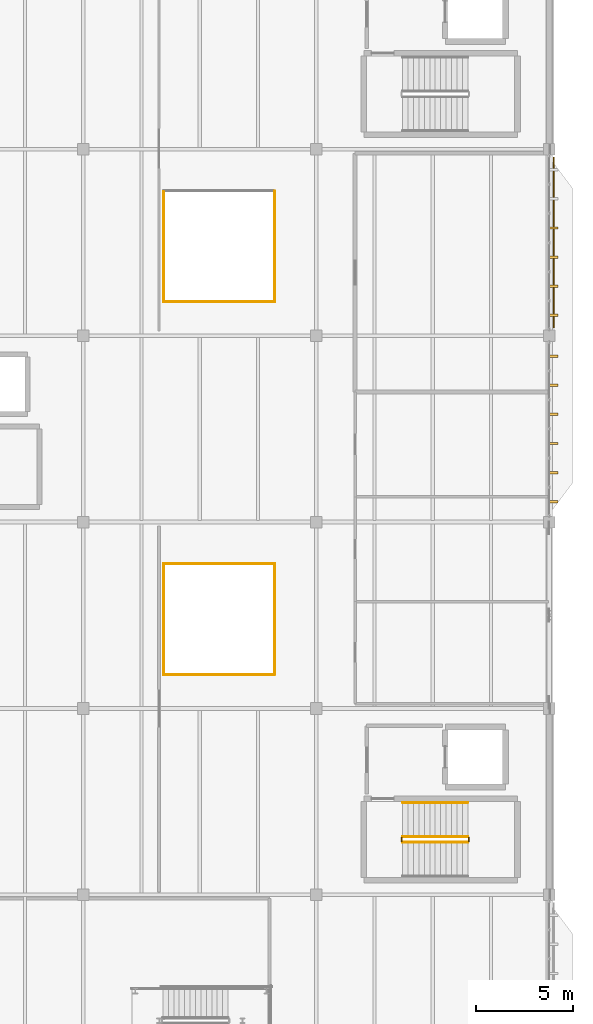
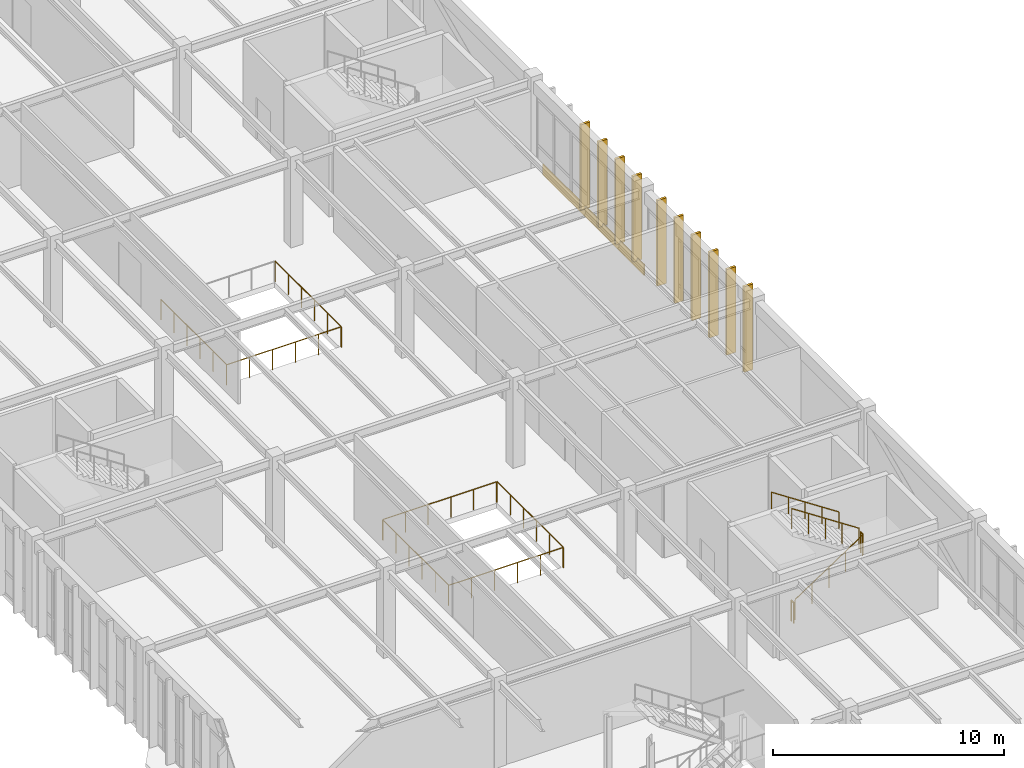
# One storey, part 233 of 236: 12 railings, 10 shading devices, 1 covering.
"""IFC4 building model written with IfcOpenShell, lengths in metres."""

from ifc_helpers import new_model, si_unit, direction, frame, origin, origin_2d, place, context, subcontext, project, spatial, rectangle, circle, extrude, material, layer, layer_set, type_object, element, save


model = new_model("IFC4")

# Units and contexts
model_context = context("Model", 3, precision=1e-05, world=origin(), true_north=direction((0.0, 1.0)))
body_context = subcontext(model_context, "Body", "Model", "MODEL_VIEW")
ifc_project = project(units=[si_unit("LENGTHUNIT", "METRE"), si_unit("AREAUNIT", "SQUARE_METRE"), si_unit("VOLUMEUNIT", "CUBIC_METRE"), si_unit("PLANEANGLEUNIT", "RADIAN"), si_unit("MASSUNIT", "GRAM", prefix="KILO")], contexts=[model_context])

# Site, building, storey
site_placement = place(None, origin())
site = spatial("IfcSite", under=ifc_project, at=site_placement, CompositionType="ELEMENT")
building_placement = place(site_placement, origin())
building = spatial("IfcBuilding", under=site, at=building_placement, Name="Pandanus Reach Market Hall", CompositionType="ELEMENT")
storey_placement = place(building_placement, frame((0.0, 0.0, 5.39990234375)))
storey = spatial("IfcBuildingStorey", under=building, at=storey_placement, Name="L01", CompositionType="ELEMENT", Elevation=5.39990234375)

# Covering
ifc_material_1 = material(Name="Precast concrete S50 (50 MPa)", Category="concrete")
ifc_layer = layer(ifc_material_1, 0.06005859375, Name="CLD-S50-60")
ifc_layer_set = layer_set([ifc_layer], Name="Precast concrete S50 (50 MPa)")
covering_type = type_object("IfcCoveringType", Name="CLD-S50-60", PredefinedType="CLADDING", material=ifc_layer_set)
covering_placement = place(storey_placement, frame((180.22998046875, 62.39990234375, -0.4248046875), z_axis=(0.0, 0.0, 1.0), x_axis=(0.0, 1.0, 0.0)))
element("IfcCovering", 1, at=covering_placement, inside=storey, type_object=covering_type, Name="Precast spandrel cladding panel 2", PredefinedType="CLADDING", context=body_context, shape_type="SweptSolid", body=[
    extrude(rectangle(XDim=8.800048828125, YDim=0.06005859375, at=origin_2d()), origin(), (0.0, 0.0, 1.0), 0.550048828125),
])

# Shading devices
shading_device_type = type_object("IfcShadingDeviceType", Name="FN-S50-450", PredefinedType="JALOUSIE", material=ifc_material_1)
for number, where, z_axis, x_axis, name in (
    (2, (180.219970703125, 49.050048828125, -0.010009765625), (0.0, 0.0, 1.0), (1.0, 0.0, 0.0), "Precast brise-soleil fin 345"),
    (3, (180.219970703125, 50.550048828125, -0.010009765625), (0.0, 0.0, 1.0), (1.0, 0.0, 0.0), "Precast brise-soleil fin 346"),
    (4, (180.219970703125, 52.050048828125, -0.010009765625), (0.0, 0.0, 1.0), (1.0, 0.0, 0.0), "Precast brise-soleil fin 347"),
    (5, (180.219970703125, 53.550048828125, -0.010009765625), (0.0, 0.0, 1.0), (1.0, 0.0, 0.0), "Precast brise-soleil fin 348"),
    (6, (180.219970703125, 55.050048828125, -0.010009765625), (0.0, 0.0, 1.0), (1.0, 0.0, 0.0), "Precast brise-soleil fin 349"),
    (7, (180.219970703125, 56.550048828125, -0.010009765625), (0.0, 0.0, 1.0), (1.0, 0.0, 0.0), "Precast brise-soleil fin 350"),
    (8, (180.219970703125, 58.64990234375, -0.010009765625), (0.0, 0.0, 1.0), (1.0, 0.0, 0.0), "Precast brise-soleil fin 351"),
    (9, (180.219970703125, 60.14990234375, -0.010009765625), (0.0, 0.0, 1.0), (1.0, 0.0, 0.0), "Precast brise-soleil fin 352"),
    (10, (180.219970703125, 61.64990234375, -0.010009765625), (0.0, 0.0, 1.0), (1.0, 0.0, 0.0), "Precast brise-soleil fin 353"),
    (11, (180.219970703125, 63.14990234375, -0.010009765625), (0.0, 0.0, 1.0), (1.0, 0.0, 0.0), "Precast brise-soleil fin 354"),
):
    element("IfcShadingDevice", number, at=place(storey_placement, frame(where, z_axis=z_axis, x_axis=x_axis)), inside=storey, type_object=shading_device_type, Name=name, PredefinedType="JALOUSIE", context=body_context, shape_type="SweptSolid", body=[
        extrude(rectangle(XDim=0.449951171875, YDim=0.1201171875, at=origin_2d()), origin(), (0.0, 0.0, 1.0), 4.52001953125),
    ])

# Railings
ifc_material_2 = material(Name="Galvanised steel Grade 350 (350 MPa)", Category="steel")
railing_type_1 = type_object("IfcRailingType", Name="GR-INT-110", PredefinedType="GUARDRAIL", material=ifc_material_2)
railing_1_placement = place(storey_placement, frame((172.449951171875, 31.5, 0.184814453125)))
element("IfcRailing", 12, at=railing_1_placement, inside=storey, type_object=railing_type_1, Name="Stair guard ST-01 L01.13", PredefinedType="GUARDRAIL", context=body_context, shape_type="SweptSolid", body=[
    extrude(circle(Radius=0.02392578125, at=origin_2d()), frame((0.0, 0.0, 1.076171875), z_axis=(0.834876476806, 0.0, 0.550437342915), x_axis=(0.0, 1.0, 0.0)), (0.0, 0.0, 1.0), 4.024658203125),
    extrude(circle(Radius=0.02099609375, at=origin_2d()), origin(), (0.0, 0.0, 1.0), 1.052001953125),
    extrude(circle(Radius=0.02099609375, at=origin_2d()), frame((0.840087890625, 0.0, 0.5537109375)), (0.0, 0.0, 1.0), 1.052001953125),
    extrude(circle(Radius=0.02099609375, at=origin_2d()), frame((1.68017578125, 0.0, 1.107666015625)), (0.0, 0.0, 1.0), 1.052001953125),
    extrude(circle(Radius=0.02099609375, at=origin_2d()), frame((2.52001953125, 0.0, 1.66162109375)), (0.0, 0.0, 1.0), 1.052001953125),
    extrude(circle(Radius=0.02099609375, at=origin_2d()), frame((3.360107421875, 0.0, 2.21533203125)), (0.0, 0.0, 1.0), 1.052001953125),
])
railing_2_placement = place(storey_placement, frame((175.860107421875, 31.550048828125, 2.400146484375)))
element("IfcRailing", 13, at=railing_2_placement, inside=storey, type_object=railing_type_1, Name="Stair guard ST-01 L01.14", PredefinedType="GUARDRAIL", context=body_context, shape_type="SweptSolid", body=[
    extrude(circle(Radius=0.02392578125, at=origin_2d()), frame((0.0, 0.0, 1.076171875), z_axis=(0.0, 1.0, 0.0), x_axis=(-1.0, 0.0, 0.0)), (0.0, 0.0, 1.0), 0.199951171875),
    extrude(circle(Radius=0.02099609375, at=origin_2d()), origin(), (0.0, 0.0, 1.0), 1.052001953125),
    extrude(circle(Radius=0.02099609375, at=origin_2d()), frame((0.0, 0.199951171875, 0.0)), (0.0, 0.0, 1.0), 1.052001953125),
])
railing_3_placement = place(storey_placement, frame((175.81005859375, 31.800048828125, 2.584716796875)))
element("IfcRailing", 14, at=railing_3_placement, inside=storey, type_object=railing_type_1, Name="Stair guard ST-01 L01.15", PredefinedType="GUARDRAIL", context=body_context, shape_type="SweptSolid", body=[
    extrude(circle(Radius=0.02392578125, at=origin_2d()), frame((0.0, 0.0, 1.076171875), z_axis=(-0.834876476806, 0.0, 0.550437342915), x_axis=(0.0, -1.0, 0.0)), (0.0, 0.0, 1.0), 4.024658203125),
    extrude(circle(Radius=0.02099609375, at=origin_2d()), origin(), (0.0, 0.0, 1.0), 1.052001953125),
    extrude(circle(Radius=0.02099609375, at=origin_2d()), frame((-0.840087890625, 0.0, 0.5537109375)), (0.0, 0.0, 1.0), 1.052001953125),
    extrude(circle(Radius=0.02099609375, at=origin_2d()), frame((-1.68017578125, 0.0, 1.107666015625)), (0.0, 0.0, 1.0), 1.052001953125),
    extrude(circle(Radius=0.02099609375, at=origin_2d()), frame((-2.52001953125, 0.0, 1.66162109375)), (0.0, 0.0, 1.0), 1.052001953125),
    extrude(circle(Radius=0.02099609375, at=origin_2d()), frame((-3.360107421875, 0.0, 2.21533203125)), (0.0, 0.0, 1.0), 1.052001953125),
])
railing_4_placement = place(storey_placement, frame((172.39990234375, 31.550048828125, 0.0)))
element("IfcRailing", 15, at=railing_4_placement, inside=storey, type_object=railing_type_1, Name="Stair guard ST-01 L01.16", PredefinedType="GUARDRAIL", context=body_context, shape_type="SweptSolid", body=[
    extrude(circle(Radius=0.02392578125, at=origin_2d()), frame((0.0, 0.0, 1.076171875), z_axis=(0.0, 1.0, 0.0), x_axis=(-1.0, 0.0, 0.0)), (0.0, 0.0, 1.0), 0.199951171875),
    extrude(circle(Radius=0.02099609375, at=origin_2d()), origin(), (0.0, 0.0, 1.0), 1.052001953125),
    extrude(circle(Radius=0.02099609375, at=origin_2d()), frame((0.0, 0.199951171875, 0.0)), (0.0, 0.0, 1.0), 1.052001953125),
])
railing_5_placement = place(storey_placement, frame((160.139892578125, 40.139892578125, 0.0)))
element("IfcRailing", 16, at=railing_5_placement, inside=storey, type_object=railing_type_1, Name="Atrium lightwell guard L01.225", PredefinedType="GUARDRAIL", context=body_context, shape_type="SweptSolid", body=[
    extrude(circle(Radius=0.02392578125, at=origin_2d()), frame((0.0, 0.0, 1.076171875), z_axis=(1.0, 0.0, 0.0), x_axis=(0.0, 1.0, 0.0)), (0.0, 0.0, 1.0), 5.72021484375),
    extrude(circle(Radius=0.02099609375, at=origin_2d()), origin(), (0.0, 0.0, 1.0), 1.052001953125),
    extrude(circle(Radius=0.02099609375, at=origin_2d()), frame((1.14404296875, 0.0, 0.0)), (0.0, 0.0, 1.0), 1.052001953125),
    extrude(circle(Radius=0.02099609375, at=origin_2d()), frame((2.2880859375, 0.0, 0.0)), (0.0, 0.0, 1.0), 1.052001953125),
    extrude(circle(Radius=0.02099609375, at=origin_2d()), frame((3.43212890625, 0.0, 0.0)), (0.0, 0.0, 1.0), 1.052001953125),
    extrude(circle(Radius=0.02099609375, at=origin_2d()), frame((4.576171875, 0.0, 0.0)), (0.0, 0.0, 1.0), 1.052001953125),
    extrude(circle(Radius=0.02099609375, at=origin_2d()), frame((5.72021484375, 0.0, 0.0)), (0.0, 0.0, 1.0), 1.052001953125),
])
railing_6_placement = place(storey_placement, frame((165.860107421875, 40.179931640625, 0.0)))
element("IfcRailing", 17, at=railing_6_placement, inside=storey, type_object=railing_type_1, Name="Atrium lightwell guard L01.226", PredefinedType="GUARDRAIL", context=body_context, shape_type="SweptSolid", body=[
    extrude(circle(Radius=0.02392578125, at=origin_2d()), frame((0.0, 0.0, 1.076171875), z_axis=(0.0, 1.0, 0.0), x_axis=(-1.0, 0.0, 0.0)), (0.0, 0.0, 1.0), 5.68017578125),
    extrude(circle(Radius=0.02099609375, at=origin_2d()), origin(), (0.0, 0.0, 1.0), 1.052001953125),
    extrude(circle(Radius=0.02099609375, at=origin_2d()), frame((0.0, 1.135986328125, 0.0)), (0.0, 0.0, 1.0), 1.052001953125),
    extrude(circle(Radius=0.02099609375, at=origin_2d()), frame((0.0, 2.27197265625, 0.0)), (0.0, 0.0, 1.0), 1.052001953125),
    extrude(circle(Radius=0.02099609375, at=origin_2d()), frame((0.0, 3.408203125, 0.0)), (0.0, 0.0, 1.0), 1.052001953125),
    extrude(circle(Radius=0.02099609375, at=origin_2d()), frame((0.0, 4.544189453125, 0.0)), (0.0, 0.0, 1.0), 1.052001953125),
    extrude(circle(Radius=0.02099609375, at=origin_2d()), frame((0.0, 5.68017578125, 0.0)), (0.0, 0.0, 1.0), 1.052001953125),
])
railing_7_placement = place(storey_placement, frame((165.820068359375, 45.860107421875, 0.0)))
element("IfcRailing", 18, at=railing_7_placement, inside=storey, type_object=railing_type_1, Name="Atrium lightwell guard L01.227", PredefinedType="GUARDRAIL", context=body_context, shape_type="SweptSolid", body=[
    extrude(circle(Radius=0.02392578125, at=origin_2d()), frame((0.0, 0.0, 1.076171875), z_axis=(-1.0, 0.0, 0.0), x_axis=(0.0, -1.0, 0.0)), (0.0, 0.0, 1.0), 5.68017578125),
    extrude(circle(Radius=0.02099609375, at=origin_2d()), origin(), (0.0, 0.0, 1.0), 1.052001953125),
    extrude(circle(Radius=0.02099609375, at=origin_2d()), frame((-1.135986328125, 0.0, 0.0)), (0.0, 0.0, 1.0), 1.052001953125),
    extrude(circle(Radius=0.02099609375, at=origin_2d()), frame((-2.27197265625, 0.0, 0.0)), (0.0, 0.0, 1.0), 1.052001953125),
    extrude(circle(Radius=0.02099609375, at=origin_2d()), frame((-3.408203125, 0.0, 0.0)), (0.0, 0.0, 1.0), 1.052001953125),
    extrude(circle(Radius=0.02099609375, at=origin_2d()), frame((-4.544189453125, 0.0, 0.0)), (0.0, 0.0, 1.0), 1.052001953125),
    extrude(circle(Radius=0.02099609375, at=origin_2d()), frame((-5.68017578125, 0.0, 0.0)), (0.0, 0.0, 1.0), 1.052001953125),
])
railing_8_placement = place(storey_placement, frame((160.139892578125, 45.820068359375, 0.0)))
element("IfcRailing", 19, at=railing_8_placement, inside=storey, type_object=railing_type_1, Name="Atrium lightwell guard L01.228", PredefinedType="GUARDRAIL", context=body_context, shape_type="SweptSolid", body=[
    extrude(circle(Radius=0.02392578125, at=origin_2d()), frame((0.0, 0.0, 1.076171875), z_axis=(0.0, -1.0, 0.0), x_axis=(1.0, 0.0, 0.0)), (0.0, 0.0, 1.0), 5.64013671875),
    extrude(circle(Radius=0.02099609375, at=origin_2d()), origin(), (0.0, 0.0, 1.0), 1.052001953125),
    extrude(circle(Radius=0.02099609375, at=origin_2d()), frame((0.0, -1.1279296875, 0.0)), (0.0, 0.0, 1.0), 1.052001953125),
    extrude(circle(Radius=0.02099609375, at=origin_2d()), frame((0.0, -2.256103515625, 0.0)), (0.0, 0.0, 1.0), 1.052001953125),
    extrude(circle(Radius=0.02099609375, at=origin_2d()), frame((0.0, -3.384033203125, 0.0)), (0.0, 0.0, 1.0), 1.052001953125),
    extrude(circle(Radius=0.02099609375, at=origin_2d()), frame((0.0, -4.51220703125, 0.0)), (0.0, 0.0, 1.0), 1.052001953125),
    extrude(circle(Radius=0.02099609375, at=origin_2d()), frame((0.0, -5.64013671875, 0.0)), (0.0, 0.0, 1.0), 1.052001953125),
])
railing_9_placement = place(storey_placement, frame((160.139892578125, 59.340087890625, 0.0)))
element("IfcRailing", 20, at=railing_9_placement, inside=storey, type_object=railing_type_1, Name="Atrium lightwell guard L01.229", PredefinedType="GUARDRAIL", context=body_context, shape_type="SweptSolid", body=[
    extrude(circle(Radius=0.02392578125, at=origin_2d()), frame((0.0, 0.0, 1.076171875), z_axis=(1.0, 0.0, 0.0), x_axis=(0.0, 1.0, 0.0)), (0.0, 0.0, 1.0), 5.72021484375),
    extrude(circle(Radius=0.02099609375, at=origin_2d()), origin(), (0.0, 0.0, 1.0), 1.052001953125),
    extrude(circle(Radius=0.02099609375, at=origin_2d()), frame((1.14404296875, 0.0, 0.0)), (0.0, 0.0, 1.0), 1.052001953125),
    extrude(circle(Radius=0.02099609375, at=origin_2d()), frame((2.2880859375, 0.0, 0.0)), (0.0, 0.0, 1.0), 1.052001953125),
    extrude(circle(Radius=0.02099609375, at=origin_2d()), frame((3.43212890625, 0.0, 0.0)), (0.0, 0.0, 1.0), 1.052001953125),
    extrude(circle(Radius=0.02099609375, at=origin_2d()), frame((4.576171875, 0.0, 0.0)), (0.0, 0.0, 1.0), 1.052001953125),
    extrude(circle(Radius=0.02099609375, at=origin_2d()), frame((5.72021484375, 0.0, 0.0)), (0.0, 0.0, 1.0), 1.052001953125),
])
railing_10_placement = place(storey_placement, frame((165.860107421875, 59.3798828125, 0.0)))
element("IfcRailing", 21, at=railing_10_placement, inside=storey, type_object=railing_type_1, Name="Atrium lightwell guard L01.230", PredefinedType="GUARDRAIL", context=body_context, shape_type="SweptSolid", body=[
    extrude(circle(Radius=0.02392578125, at=origin_2d()), frame((0.0, 0.0, 1.076171875), z_axis=(0.0, 1.0, 0.0), x_axis=(-1.0, 0.0, 0.0)), (0.0, 0.0, 1.0), 5.68017578125),
    extrude(circle(Radius=0.02099609375, at=origin_2d()), origin(), (0.0, 0.0, 1.0), 1.052001953125),
    extrude(circle(Radius=0.02099609375, at=origin_2d()), frame((0.0, 1.135986328125, 0.0)), (0.0, 0.0, 1.0), 1.052001953125),
    extrude(circle(Radius=0.02099609375, at=origin_2d()), frame((0.0, 2.27197265625, 0.0)), (0.0, 0.0, 1.0), 1.052001953125),
    extrude(circle(Radius=0.02099609375, at=origin_2d()), frame((0.0, 3.408203125, 0.0)), (0.0, 0.0, 1.0), 1.052001953125),
    extrude(circle(Radius=0.02099609375, at=origin_2d()), frame((0.0, 4.544189453125, 0.0)), (0.0, 0.0, 1.0), 1.052001953125),
    extrude(circle(Radius=0.02099609375, at=origin_2d()), frame((0.0, 5.68017578125, 0.0)), (0.0, 0.0, 1.0), 1.052001953125),
])
railing_11_placement = place(storey_placement, frame((160.139892578125, 65.02001953125, 0.0)))
element("IfcRailing", 22, at=railing_11_placement, inside=storey, type_object=railing_type_1, Name="Atrium lightwell guard L01.232", PredefinedType="GUARDRAIL", context=body_context, shape_type="SweptSolid", body=[
    extrude(circle(Radius=0.02392578125, at=origin_2d()), frame((0.0, 0.0, 1.076171875), z_axis=(0.0, -1.0, 0.0), x_axis=(1.0, 0.0, 0.0)), (0.0, 0.0, 1.0), 5.64013671875),
    extrude(circle(Radius=0.02099609375, at=origin_2d()), origin(), (0.0, 0.0, 1.0), 1.052001953125),
    extrude(circle(Radius=0.02099609375, at=origin_2d()), frame((0.0, -1.1279296875, 0.0)), (0.0, 0.0, 1.0), 1.052001953125),
    extrude(circle(Radius=0.02099609375, at=origin_2d()), frame((0.0, -2.256103515625, 0.0)), (0.0, 0.0, 1.0), 1.052001953125),
    extrude(circle(Radius=0.02099609375, at=origin_2d()), frame((0.0, -3.384033203125, 0.0)), (0.0, 0.0, 1.0), 1.052001953125),
    extrude(circle(Radius=0.02099609375, at=origin_2d()), frame((0.0, -4.51220703125, 0.0)), (0.0, 0.0, 1.0), 1.052001953125),
    extrude(circle(Radius=0.02099609375, at=origin_2d()), frame((0.0, -5.64013671875, 0.0)), (0.0, 0.0, 1.0), 1.052001953125),
])
ifc_material_3 = material(Name="Brushed stainless steel", Category="steel")
railing_type_2 = type_object("IfcRailingType", Name="HR-WAL-090", PredefinedType="HANDRAIL", material=ifc_material_3)
railing_12_placement = place(storey_placement, frame((175.81005859375, 33.550048828125, 2.584716796875)))
element("IfcRailing", 23, at=railing_12_placement, inside=storey, type_object=railing_type_2, Name="Stair handrail ST-01 L01.18", PredefinedType="HANDRAIL", context=body_context, shape_type="SweptSolid", body=[
    extrude(circle(Radius=0.02392578125, at=origin_2d()), frame((0.0, 0.0, 0.8759765625), z_axis=(-0.834876476806, 0.0, 0.550437342915), x_axis=(0.0, -1.0, 0.0)), (0.0, 0.0, 1.0), 4.024658203125),
    extrude(circle(Radius=0.02099609375, at=origin_2d()), origin(), (0.0, 0.0, 1.0), 0.851806640625),
    extrude(circle(Radius=0.02099609375, at=origin_2d()), frame((-0.840087890625, 0.0, 0.5537109375)), (0.0, 0.0, 1.0), 0.851806640625),
    extrude(circle(Radius=0.02099609375, at=origin_2d()), frame((-1.68017578125, 0.0, 1.107666015625)), (0.0, 0.0, 1.0), 0.851806640625),
    extrude(circle(Radius=0.02099609375, at=origin_2d()), frame((-2.52001953125, 0.0, 1.66162109375)), (0.0, 0.0, 1.0), 0.851806640625),
    extrude(circle(Radius=0.02099609375, at=origin_2d()), frame((-3.360107421875, 0.0, 2.21533203125)), (0.0, 0.0, 1.0), 0.851806640625),
])

save(model, "model.ifc")
